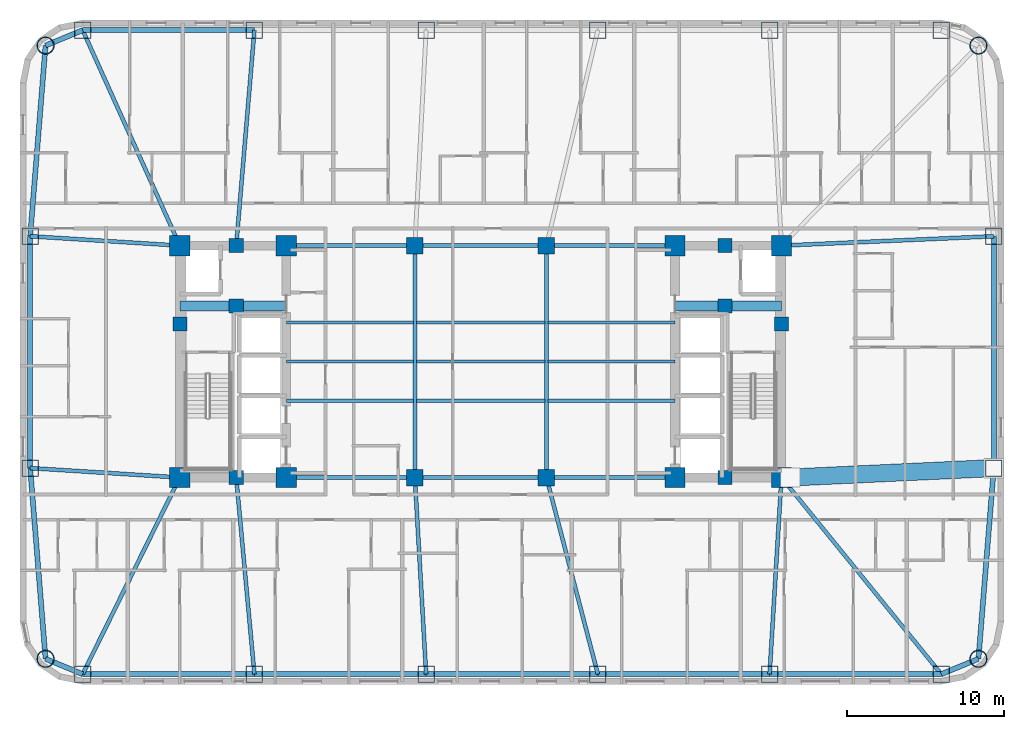
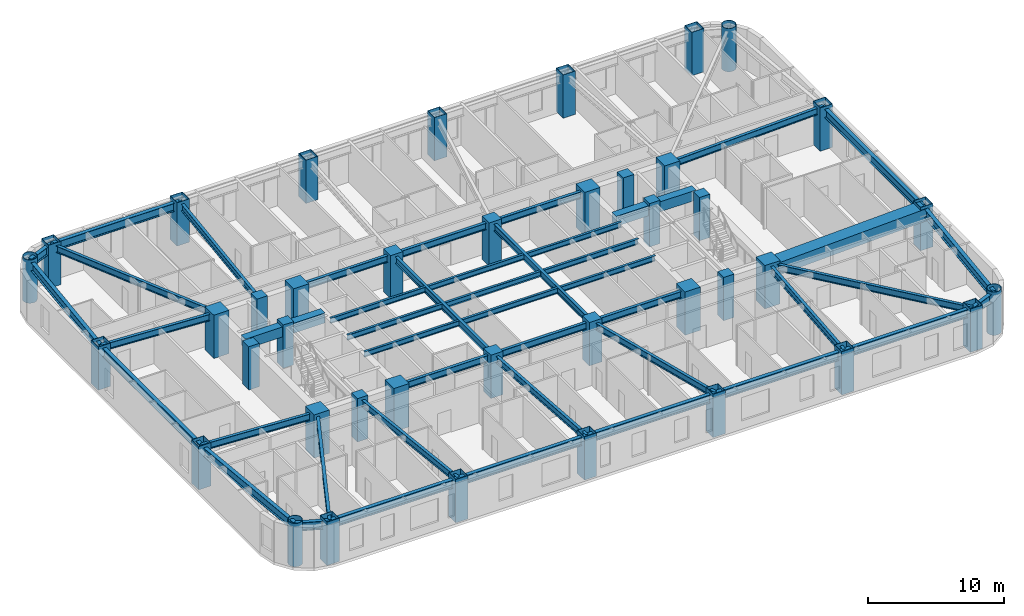
# One storey, part 1 of 11: 45 beams, 40 columns.
"""IFC4 building model written with IfcOpenShell, lengths in metres."""

from ifc_helpers import new_model, si_unit, direction, frame, origin, origin_2d, place, context, subcontext, project, spatial, rectangle, hollow_rectangle, hollow_circle, i_section, extrude, material, material_profile, profile_set, type_object, element, save


model = new_model("IFC4")

# Units and contexts
model_context = context("Model", 3, precision=1e-05, world=origin(), true_north=direction((0.0, 1.0)))
body_context = subcontext(model_context, "Body", "Model", "MODEL_VIEW")
ifc_project = project(units=[si_unit("LENGTHUNIT", "METRE"), si_unit("AREAUNIT", "SQUARE_METRE"), si_unit("VOLUMEUNIT", "CUBIC_METRE"), si_unit("PLANEANGLEUNIT", "RADIAN"), si_unit("MASSUNIT", "GRAM", prefix="KILO")], contexts=[model_context])

# Site, building, storey
site_placement = place(None, origin())
site = spatial("IfcSite", under=ifc_project, at=site_placement, CompositionType="ELEMENT")
building_placement = place(site_placement, origin())
building = spatial("IfcBuilding", under=site, at=building_placement, Name="Voryun Gate Residences", CompositionType="ELEMENT")
storey_placement = place(building_placement, frame((0.0, 0.0, 97.5)))
storey = spatial("IfcBuildingStorey", under=building, at=storey_placement, Name="L23", CompositionType="ELEMENT", Elevation=97.5)

# Columns
ifc_material_1 = material(Name="Concrete C50/60", Category="concrete")
ifc_material_profile_1 = material_profile(ifc_material_1, rectangle(XDim=1.050048828125, YDim=1.050048828125, at=origin_2d()), Name="RC-1050x1050")
ifc_profile_set_1 = profile_set([ifc_material_profile_1], Name="Concrete C50/60")
column_type_1 = type_object("IfcColumnType", Name="COL_CORE_1050", PredefinedType="COLUMN", material=ifc_profile_set_1)
for number, where, z_axis, x_axis, name in (
    (1, (-4.199951171875, -7.39990234375, 0.0), (0.0, 0.0, 1.0), (1.0, 0.0, 0.0), "L23 Interior spine column SP-WS"),
    (2, (-4.199951171875, 7.39990234375, 0.0), (0.0, 0.0, 1.0), (1.0, 0.0, 0.0), "L23 Interior spine column SP-WN"),
    (3, (4.199951171875, -7.39990234375, 0.0), (0.0, 0.0, 1.0), (1.0, 0.0, 0.0), "L23 Interior spine column SP-ES"),
    (4, (4.199951171875, 7.39990234375, 0.0), (0.0, 0.0, 1.0), (1.0, 0.0, 0.0), "L23 Interior spine column SP-EN"),
):
    element("IfcColumn", number, at=place(storey_placement, frame(where, z_axis=z_axis, x_axis=x_axis)), inside=storey, type_object=column_type_1, Name=name, PredefinedType="COLUMN", context=body_context, shape_type="SweptSolid", body=[
        extrude(rectangle(XDim=1.050048828125, YDim=1.050048828125, at=origin_2d()), origin(), (0.0, 0.0, 1.0), 3.89990234375),
    ])
ifc_material_2 = material(Name="Concrete C50/60", Category="concrete")
ifc_material_profile_2 = material_profile(ifc_material_2, rectangle(XDim=0.89990234375, YDim=0.89990234375, at=origin_2d()), Name="RC-900x900")
ifc_profile_set_2 = profile_set([ifc_material_profile_2], Name="Concrete C50/60")
column_type_2 = type_object("IfcColumnType", Name="COL_CORE_900", PredefinedType="COLUMN", material=ifc_profile_set_2)
for number, where, z_axis, x_axis, name in (
    (5, (-19.199951171875, 2.39990234375, 0.0), (0.0, 0.0, 1.0), (1.0, 0.0, 0.0), "L23 Core boundary column WC-MW"),
    (6, (-15.60009765625, -7.39990234375, 0.0), (0.0, 0.0, 1.0), (1.0, 0.0, 0.0), "L23 Core boundary column WC-SM"),
    (7, (-15.60009765625, 7.39990234375, 0.0), (0.0, 0.0, 1.0), (1.0, 0.0, 0.0), "L23 Core boundary column WC-NM"),
    (8, (-15.60009765625, 3.550048828125, 0.0), (0.0, 0.0, 1.0), (1.0, 0.0, 0.0), "L23 Core boundary column WC-MM"),
    (9, (15.60009765625, 3.550048828125, 0.0), (0.0, 0.0, 1.0), (1.0, 0.0, 0.0), "L23 Core boundary column EC-MM"),
    (10, (15.60009765625, -7.39990234375, 0.0), (0.0, 0.0, 1.0), (1.0, 0.0, 0.0), "L23 Core boundary column EC-SM"),
    (11, (15.60009765625, 7.39990234375, 0.0), (0.0, 0.0, 1.0), (1.0, 0.0, 0.0), "L23 Core boundary column EC-NM"),
    (12, (19.199951171875, 2.39990234375, 0.0), (0.0, 0.0, 1.0), (1.0, 0.0, 0.0), "L23 Core boundary column EC-ME"),
):
    element("IfcColumn", number, at=place(storey_placement, frame(where, z_axis=z_axis, x_axis=x_axis)), inside=storey, type_object=column_type_2, Name=name, PredefinedType="COLUMN", context=body_context, shape_type="SweptSolid", body=[
        extrude(rectangle(XDim=0.89990234375, YDim=0.89990234375, at=origin_2d()), origin(), (0.0, 0.0, 1.0), 3.89990234375),
    ])
ifc_material_3 = material(Name="Steel SM420", Category="steel")
ifc_material_profile_3 = material_profile(ifc_material_3, hollow_circle(Radius=0.550048828125, WallThickness=0.035888671875, at=origin_2d()), Name="CHS-1100x36")
ifc_profile_set_3 = profile_set([ifc_material_profile_3], Name="Steel SM420")
column_type_3 = type_object("IfcColumnType", Name="COL_CRN_1100", PredefinedType="COLUMN", material=ifc_profile_set_3)
for number, where, z_axis, x_axis, name in (
    (13, (31.768798828125, -18.96875, 0.0), (0.0, 0.0, 1.0), (1.0, 0.0, 0.0), "L23 Exoskeleton column CSE"),
    (14, (31.768798828125, 20.168701171875, 0.0), (0.0, 0.0, 1.0), (1.0, 0.0, 0.0), "L23 Exoskeleton column CNE"),
    (15, (-27.768798828125, 20.168701171875, 0.0), (0.0, 0.0, 1.0), (1.0, 0.0, 0.0), "L23 Exoskeleton column CNW"),
    (16, (-27.768798828125, -18.96875, 0.0), (0.0, 0.0, 1.0), (1.0, 0.0, 0.0), "L23 Exoskeleton column CSW"),
):
    element("IfcColumn", number, at=place(storey_placement, frame(where, z_axis=z_axis, x_axis=x_axis)), inside=storey, type_object=column_type_3, Name=name, PredefinedType="COLUMN", context=body_context, shape_type="SweptSolid", body=[
        extrude(hollow_circle(Radius=0.550048828125, WallThickness=0.035888671875, at=origin_2d()), origin(), (0.0, 0.0, 1.0), 3.89990234375),
    ])
ifc_material_4 = material(Name="Steel SM420", Category="steel")
ifc_material_profile_4 = material_profile(ifc_material_4, hollow_rectangle(XDim=1.050048828125, YDim=1.050048828125, WallThickness=0.035888671875, at=origin_2d()), Name="BOX-1050x1050x36")
ifc_profile_set_4 = profile_set([ifc_material_profile_4], Name="Steel SM420")
column_type_4 = type_object("IfcColumnType", Name="COL_EXO_B2", PredefinedType="COLUMN", material=ifc_profile_set_4)
for number, where, z_axis, x_axis, name in (
    (17, (-25.39990234375, -19.949951171875, 0.0), (0.0, 0.0, 1.0), (1.0, 0.0, 0.0), "L23 Exoskeleton column S1"),
    (18, (-14.43994140625, -19.949951171875, 0.0), (0.0, 0.0, 1.0), (1.0, 0.0, 0.0), "L23 Exoskeleton column S2"),
    (19, (-3.47998046875, -19.949951171875, 0.0), (0.0, 0.0, 1.0), (1.0, 0.0, 0.0), "L23 Exoskeleton column S3"),
    (20, (7.47998046875, -19.949951171875, 0.0), (0.0, 0.0, 1.0), (1.0, 0.0, 0.0), "L23 Exoskeleton column S4"),
    (21, (18.43994140625, -19.949951171875, 0.0), (0.0, 0.0, 1.0), (1.0, 0.0, 0.0), "L23 Exoskeleton column S5"),
    (22, (29.39990234375, -19.949951171875, 0.0), (0.0, 0.0, 1.0), (1.0, 0.0, 0.0), "L23 Exoskeleton column S6"),
    (23, (32.75, -6.798095703125, 0.0), (0.0, 0.0, 1.0), (1.0, 0.0, 0.0), "L23 Exoskeleton column E1"),
    (24, (32.75, 7.998046875, 0.0), (0.0, 0.0, 1.0), (1.0, 0.0, 0.0), "L23 Exoskeleton column E2"),
    (25, (29.39990234375, 21.14990234375, 0.0), (0.0, 0.0, 1.0), (1.0, 0.0, 0.0), "L23 Exoskeleton column N1"),
    (26, (18.43994140625, 21.14990234375, 0.0), (0.0, 0.0, 1.0), (1.0, 0.0, 0.0), "L23 Exoskeleton column N2"),
    (27, (7.47998046875, 21.14990234375, 0.0), (0.0, 0.0, 1.0), (1.0, 0.0, 0.0), "L23 Exoskeleton column N3"),
    (28, (-3.47998046875, 21.14990234375, 0.0), (0.0, 0.0, 1.0), (1.0, 0.0, 0.0), "L23 Exoskeleton column N4"),
    (29, (-14.43994140625, 21.14990234375, 0.0), (0.0, 0.0, 1.0), (1.0, 0.0, 0.0), "L23 Exoskeleton column N5"),
    (30, (-25.39990234375, 21.14990234375, 0.0), (0.0, 0.0, 1.0), (1.0, 0.0, 0.0), "L23 Exoskeleton column N6"),
    (31, (-28.75, 7.998046875, 0.0), (0.0, 0.0, 1.0), (1.0, 0.0, 0.0), "L23 Exoskeleton column W1"),
    (32, (-28.75, -6.798095703125, 0.0), (0.0, 0.0, 1.0), (1.0, 0.0, 0.0), "L23 Exoskeleton column W2"),
):
    element("IfcColumn", number, at=place(storey_placement, frame(where, z_axis=z_axis, x_axis=x_axis)), inside=storey, type_object=column_type_4, Name=name, PredefinedType="COLUMN", context=body_context, shape_type="SweptSolid", body=[
        extrude(hollow_rectangle(XDim=1.050048828125, YDim=1.050048828125, WallThickness=0.035888671875, at=origin_2d()), origin(), (0.0, 0.0, 1.0), 3.89990234375),
    ])
ifc_material_5 = material(Name="Concrete C60/75", Category="concrete")
ifc_material_profile_5 = material_profile(ifc_material_5, rectangle(XDim=1.300048828125, YDim=1.300048828125, at=origin_2d()), Name="RC-1300x1300")
ifc_profile_set_5 = profile_set([ifc_material_profile_5], Name="Concrete C60/75")
column_type_5 = type_object("IfcColumnType", Name="COL_MEGA_1300", PredefinedType="COLUMN", material=ifc_profile_set_5)
for number, where, z_axis, x_axis, name in (
    (33, (-19.199951171875, -7.39990234375, 0.0), (0.0, 0.0, 1.0), (1.0, 0.0, 0.0), "L23 Core boundary column WC-SW"),
    (34, (-19.199951171875, 7.39990234375, 0.0), (0.0, 0.0, 1.0), (1.0, 0.0, 0.0), "L23 Core boundary column WC-NW"),
    (35, (-12.39990234375, -7.39990234375, 0.0), (0.0, 0.0, 1.0), (1.0, 0.0, 0.0), "L23 Core boundary column WC-SE"),
    (36, (-12.39990234375, 7.39990234375, 0.0), (0.0, 0.0, 1.0), (1.0, 0.0, 0.0), "L23 Core boundary column WC-NE"),
    (37, (12.39990234375, -7.39990234375, 0.0), (0.0, 0.0, 1.0), (1.0, 0.0, 0.0), "L23 Core boundary column EC-SW"),
    (38, (12.39990234375, 7.39990234375, 0.0), (0.0, 0.0, 1.0), (1.0, 0.0, 0.0), "L23 Core boundary column EC-NW"),
    (39, (19.199951171875, -7.39990234375, 0.0), (0.0, 0.0, 1.0), (1.0, 0.0, 0.0), "L23 Core boundary column EC-SE"),
    (40, (19.199951171875, 7.39990234375, 0.0), (0.0, 0.0, 1.0), (1.0, 0.0, 0.0), "L23 Core boundary column EC-NE"),
):
    element("IfcColumn", number, at=place(storey_placement, frame(where, z_axis=z_axis, x_axis=x_axis)), inside=storey, type_object=column_type_5, Name=name, PredefinedType="COLUMN", context=body_context, shape_type="SweptSolid", body=[
        extrude(rectangle(XDim=1.300048828125, YDim=1.300048828125, at=origin_2d()), origin(), (0.0, 0.0, 1.0), 3.89990234375),
    ])

# Beams
ifc_material_6 = material(Name="Steel SM420", Category="steel")
ifc_material_profile_6 = material_profile(ifc_material_6, hollow_rectangle(XDim=1.10009765625, YDim=1.10009765625, WallThickness=0.035888671875, at=origin_2d()), Name="BOX-1100x1100x36")
ifc_profile_set_6 = profile_set([ifc_material_profile_6], Name="Steel SM420")
beam_type_1 = type_object("IfcBeamType", Name="BM_ARCH_RIB", PredefinedType="USERDEFINED", material=ifc_profile_set_6)
beam_1_placement = place(storey_placement, frame((19.75, -7.39990234375, 3.10009765625), z_axis=(0.998930206616, 0.046243294759, 0.0), x_axis=(-0.046243294759, 0.998930206616, 0.0)))
element("IfcBeam", 41, at=beam_1_placement, inside=storey, type_object=beam_type_1, Name="BM-L23-RAD-E1", ObjectType="GIRDER", PredefinedType="USERDEFINED", context=body_context, shape_type="SweptSolid", body=[
    extrude(hollow_rectangle(XDim=1.10009765625, YDim=1.10009765625, WallThickness=0.035888671875, at=origin_2d()), origin(), (0.0, 0.0, 1.0), 13.013916015625),
])
ifc_material_7 = material(Name="Concrete C60/75", Category="concrete")
ifc_material_profile_7 = material_profile(ifc_material_7, rectangle(XDim=0.64990234375, YDim=0.89990234375, at=origin_2d()), Name="RC-650x900")
ifc_profile_set_7 = profile_set([ifc_material_profile_7], Name="Concrete C60/75")
beam_type_2 = type_object("IfcBeamType", Name="BM_COUP_RC900", PredefinedType="LINTEL", material=ifc_profile_set_7)
for number, where, z_axis, x_axis, name in (
    (42, (-19.199951171875, 3.550048828125, 3.199951171875), (1.0, 0.0, 0.0), (0.0, 1.0, 0.0), "BM-L23-WC1"),
    (43, (12.39990234375, 3.550048828125, 3.199951171875), (1.0, 0.0, 0.0), (0.0, 1.0, 0.0), "BM-L23-EC1"),
):
    element("IfcBeam", number, at=place(storey_placement, frame(where, z_axis=z_axis, x_axis=x_axis)), inside=storey, type_object=beam_type_2, Name=name, PredefinedType="LINTEL", context=body_context, shape_type="SweptSolid", body=[
        extrude(rectangle(XDim=0.64990234375, YDim=0.89990234375, at=origin_2d()), origin(), (0.0, 0.0, 1.0), 6.800048828125),
    ])
ifc_material_8 = material(Name="Steel SM355", Category="steel")
ifc_material_profile_8 = material_profile(ifc_material_8, i_section(OverallWidth=0.320068359375, OverallDepth=0.75, WebThickness=0.01611328125, FlangeThickness=0.028076171875, FilletRadius=0.01806640625, at=origin_2d()), Name="H-750x320x16x28")
ifc_profile_set_8 = profile_set([ifc_material_profile_8], Name="Steel SM355")
beam_type_3 = type_object("IfcBeamType", Name="BM_EXO_SPANDREL_L", PredefinedType="SPANDREL", material=ifc_profile_set_8)
for number, where, z_axis, x_axis, name in (
    (44, (-25.39990234375, -19.949951171875, 3.27490234375), (1.0, 0.0, 0.0), (0.0, 1.0, 0.0), "BM-L23-SPAND-01"),
    (45, (-14.43994140625, -19.949951171875, 3.27490234375), (1.0, 0.0, 0.0), (0.0, 1.0, 0.0), "BM-L23-SPAND-02"),
    (46, (-3.47998046875, -19.949951171875, 3.27490234375), (1.0, 0.0, 0.0), (0.0, 1.0, 0.0), "BM-L23-SPAND-03"),
    (47, (7.47998046875, -19.949951171875, 3.27490234375), (1.0, 0.0, 0.0), (0.0, 1.0, 0.0), "BM-L23-SPAND-04"),
    (48, (18.43994140625, -19.949951171875, 3.27490234375), (1.0, 0.0, 0.0), (0.0, 1.0, 0.0), "BM-L23-SPAND-05"),
):
    element("IfcBeam", number, at=place(storey_placement, frame(where, z_axis=z_axis, x_axis=x_axis)), inside=storey, type_object=beam_type_3, Name=name, PredefinedType="SPANDREL", context=body_context, shape_type="SweptSolid", body=[
        extrude(i_section(OverallWidth=0.320068359375, OverallDepth=0.75, WebThickness=0.01611328125, FlangeThickness=0.028076171875, FilletRadius=0.01806640625, at=origin_2d()), origin(), (0.0, 0.0, 1.0), 10.9599609375),
    ])
beam_2_placement = place(storey_placement, frame((29.39990234375, -19.949951171875, 3.27490234375), z_axis=(0.923883376753, 0.382674151414, 0.0), x_axis=(-0.382674151414, 0.923883376753, 0.0)))
element("IfcBeam", 49, at=beam_2_placement, inside=storey, type_object=beam_type_3, Name="BM-L23-SPAND-06", PredefinedType="SPANDREL", context=body_context, shape_type="SweptSolid", body=[
    extrude(i_section(OverallWidth=0.320068359375, OverallDepth=0.75, WebThickness=0.01611328125, FlangeThickness=0.028076171875, FilletRadius=0.01806640625, at=origin_2d()), origin(), (0.0, 0.0, 1.0), 2.56396484375),
])
beam_3_placement = place(storey_placement, frame((31.768798828125, -18.96875, 3.27490234375), z_axis=(0.080359517973, 0.996765944378, 0.0), x_axis=(-0.996765944378, 0.080359517973, 0.0)))
element("IfcBeam", 50, at=beam_3_placement, inside=storey, type_object=beam_type_3, Name="BM-L23-SPAND-07", PredefinedType="SPANDREL", context=body_context, shape_type="SweptSolid", body=[
    extrude(i_section(OverallWidth=0.320068359375, OverallDepth=0.75, WebThickness=0.01611328125, FlangeThickness=0.028076171875, FilletRadius=0.01806640625, at=origin_2d()), origin(), (0.0, 0.0, 1.0), 12.210205078125),
])
beam_4_placement = place(storey_placement, frame((32.75, -6.798095703125, 3.27490234375), z_axis=(0.0, 1.0, 0.0), x_axis=(-1.0, 0.0, 0.0)))
element("IfcBeam", 51, at=beam_4_placement, inside=storey, type_object=beam_type_3, Name="BM-L23-SPAND-08", PredefinedType="SPANDREL", context=body_context, shape_type="SweptSolid", body=[
    extrude(i_section(OverallWidth=0.320068359375, OverallDepth=0.75, WebThickness=0.01611328125, FlangeThickness=0.028076171875, FilletRadius=0.01806640625, at=origin_2d()), origin(), (0.0, 0.0, 1.0), 14.796142578125),
])
beam_5_placement = place(storey_placement, frame((-14.43994140625, 21.14990234375, 3.27490234375), z_axis=(-1.0, 0.0, 0.0), x_axis=(0.0, -1.0, 0.0)))
element("IfcBeam", 52, at=beam_5_placement, inside=storey, type_object=beam_type_3, Name="BM-L23-SPAND-15", PredefinedType="SPANDREL", context=body_context, shape_type="SweptSolid", body=[
    extrude(i_section(OverallWidth=0.320068359375, OverallDepth=0.75, WebThickness=0.01611328125, FlangeThickness=0.028076171875, FilletRadius=0.01806640625, at=origin_2d()), origin(), (0.0, 0.0, 1.0), 10.9599609375),
])
beam_6_placement = place(storey_placement, frame((-25.39990234375, 21.14990234375, 3.27490234375), z_axis=(-0.923883376753, -0.382674151414, 0.0), x_axis=(0.382674151414, -0.923883376753, 0.0)))
element("IfcBeam", 53, at=beam_6_placement, inside=storey, type_object=beam_type_3, Name="BM-L23-SPAND-16", PredefinedType="SPANDREL", context=body_context, shape_type="SweptSolid", body=[
    extrude(i_section(OverallWidth=0.320068359375, OverallDepth=0.75, WebThickness=0.01611328125, FlangeThickness=0.028076171875, FilletRadius=0.01806640625, at=origin_2d()), origin(), (0.0, 0.0, 1.0), 2.56396484375),
])
beam_7_placement = place(storey_placement, frame((-27.768798828125, 20.168701171875, 3.27490234375), z_axis=(-0.080359517973, -0.996765944378, 0.0), x_axis=(0.996765944378, -0.080359517973, 0.0)))
element("IfcBeam", 54, at=beam_7_placement, inside=storey, type_object=beam_type_3, Name="BM-L23-SPAND-17", PredefinedType="SPANDREL", context=body_context, shape_type="SweptSolid", body=[
    extrude(i_section(OverallWidth=0.320068359375, OverallDepth=0.75, WebThickness=0.01611328125, FlangeThickness=0.028076171875, FilletRadius=0.01806640625, at=origin_2d()), origin(), (0.0, 0.0, 1.0), 12.210205078125),
])
beam_8_placement = place(storey_placement, frame((-28.75, 7.998046875, 3.27490234375), z_axis=(0.0, -1.0, 0.0), x_axis=(1.0, 0.0, 0.0)))
element("IfcBeam", 55, at=beam_8_placement, inside=storey, type_object=beam_type_3, Name="BM-L23-SPAND-18", PredefinedType="SPANDREL", context=body_context, shape_type="SweptSolid", body=[
    extrude(i_section(OverallWidth=0.320068359375, OverallDepth=0.75, WebThickness=0.01611328125, FlangeThickness=0.028076171875, FilletRadius=0.01806640625, at=origin_2d()), origin(), (0.0, 0.0, 1.0), 14.796142578125),
])
beam_9_placement = place(storey_placement, frame((-28.75, -6.798095703125, 3.27490234375), z_axis=(0.080359517973, -0.996765944378, 0.0), x_axis=(0.996765944378, 0.080359517973, 0.0)))
element("IfcBeam", 56, at=beam_9_placement, inside=storey, type_object=beam_type_3, Name="BM-L23-SPAND-19", PredefinedType="SPANDREL", context=body_context, shape_type="SweptSolid", body=[
    extrude(i_section(OverallWidth=0.320068359375, OverallDepth=0.75, WebThickness=0.01611328125, FlangeThickness=0.028076171875, FilletRadius=0.01806640625, at=origin_2d()), origin(), (0.0, 0.0, 1.0), 12.210205078125),
])
beam_10_placement = place(storey_placement, frame((-27.768798828125, -18.96875, 3.27490234375), z_axis=(0.923883376753, -0.382674151414, 0.0), x_axis=(0.382674151414, 0.923883376753, 0.0)))
element("IfcBeam", 57, at=beam_10_placement, inside=storey, type_object=beam_type_3, Name="BM-L23-SPAND-20", PredefinedType="SPANDREL", context=body_context, shape_type="SweptSolid", body=[
    extrude(i_section(OverallWidth=0.320068359375, OverallDepth=0.75, WebThickness=0.01611328125, FlangeThickness=0.028076171875, FilletRadius=0.01806640625, at=origin_2d()), origin(), (0.0, 0.0, 1.0), 2.56396484375),
])
ifc_material_9 = material(Name="Steel SM355", Category="steel")
ifc_material_profile_9 = material_profile(ifc_material_9, i_section(OverallWidth=0.25, OverallDepth=0.60009765625, WebThickness=0.011962890625, FlangeThickness=0.02197265625, FilletRadius=0.01806640625, at=origin_2d()), Name="H-600x250x12x22")
ifc_profile_set_9 = profile_set([ifc_material_profile_9], Name="Steel SM355")
beam_type_4 = type_object("IfcBeamType", Name="BM_GIRD_600", PredefinedType="USERDEFINED", material=ifc_profile_set_9)
beam_11_placement = place(storey_placement, frame((-12.39990234375, -7.39990234375, 3.35009765625), z_axis=(1.0, 0.0, 0.0), x_axis=(0.0, 1.0, 0.0)))
element("IfcBeam", 58, at=beam_11_placement, inside=storey, type_object=beam_type_4, Name="BM-L23-SPG1-S", ObjectType="GIRDER", PredefinedType="USERDEFINED", context=body_context, shape_type="SweptSolid", body=[
    extrude(i_section(OverallWidth=0.25, OverallDepth=0.60009765625, WebThickness=0.011962890625, FlangeThickness=0.02197265625, FilletRadius=0.01806640625, at=origin_2d()), origin(), (0.0, 0.0, 1.0), 8.199951171875),
])
beam_12_placement = place(storey_placement, frame((-4.199951171875, -7.39990234375, 3.35009765625), z_axis=(1.0, 0.0, 0.0), x_axis=(0.0, 1.0, 0.0)))
element("IfcBeam", 59, at=beam_12_placement, inside=storey, type_object=beam_type_4, Name="BM-L23-SPG2-S", ObjectType="GIRDER", PredefinedType="USERDEFINED", context=body_context, shape_type="SweptSolid", body=[
    extrude(i_section(OverallWidth=0.25, OverallDepth=0.60009765625, WebThickness=0.011962890625, FlangeThickness=0.02197265625, FilletRadius=0.01806640625, at=origin_2d()), origin(), (0.0, 0.0, 1.0), 8.39990234375),
])
for number, where, z_axis, x_axis, name in (
    (60, (4.199951171875, -7.39990234375, 3.35009765625), (1.0, 0.0, 0.0), (0.0, 1.0, 0.0), "BM-L23-SPG3-S"),
    (61, (-12.39990234375, 7.39990234375, 3.35009765625), (1.0, 0.0, 0.0), (0.0, 1.0, 0.0), "BM-L23-SPG1-N"),
):
    element("IfcBeam", number, at=place(storey_placement, frame(where, z_axis=z_axis, x_axis=x_axis)), inside=storey, type_object=beam_type_4, Name=name, ObjectType="GIRDER", PredefinedType="USERDEFINED", context=body_context, shape_type="SweptSolid", body=[
        extrude(i_section(OverallWidth=0.25, OverallDepth=0.60009765625, WebThickness=0.011962890625, FlangeThickness=0.02197265625, FilletRadius=0.01806640625, at=origin_2d()), origin(), (0.0, 0.0, 1.0), 8.199951171875),
    ])
beam_13_placement = place(storey_placement, frame((-4.199951171875, 7.39990234375, 3.35009765625), z_axis=(1.0, 0.0, 0.0), x_axis=(0.0, 1.0, 0.0)))
element("IfcBeam", 62, at=beam_13_placement, inside=storey, type_object=beam_type_4, Name="BM-L23-SPG2-N", ObjectType="GIRDER", PredefinedType="USERDEFINED", context=body_context, shape_type="SweptSolid", body=[
    extrude(i_section(OverallWidth=0.25, OverallDepth=0.60009765625, WebThickness=0.011962890625, FlangeThickness=0.02197265625, FilletRadius=0.01806640625, at=origin_2d()), origin(), (0.0, 0.0, 1.0), 8.39990234375),
])
beam_14_placement = place(storey_placement, frame((4.199951171875, 7.39990234375, 3.35009765625), z_axis=(1.0, 0.0, 0.0), x_axis=(0.0, 1.0, 0.0)))
element("IfcBeam", 63, at=beam_14_placement, inside=storey, type_object=beam_type_4, Name="BM-L23-SPG3-N", ObjectType="GIRDER", PredefinedType="USERDEFINED", context=body_context, shape_type="SweptSolid", body=[
    extrude(i_section(OverallWidth=0.25, OverallDepth=0.60009765625, WebThickness=0.011962890625, FlangeThickness=0.02197265625, FilletRadius=0.01806640625, at=origin_2d()), origin(), (0.0, 0.0, 1.0), 8.199951171875),
])
for number, where, z_axis, x_axis, name in (
    (64, (-4.199951171875, -7.39990234375, 3.35009765625), (0.0, 1.0, 0.0), (-1.0, 0.0, 0.0), "BM-L23-SPX-W"),
    (65, (4.199951171875, -7.39990234375, 3.35009765625), (0.0, 1.0, 0.0), (-1.0, 0.0, 0.0), "BM-L23-SPX-E"),
):
    element("IfcBeam", number, at=place(storey_placement, frame(where, z_axis=z_axis, x_axis=x_axis)), inside=storey, type_object=beam_type_4, Name=name, ObjectType="GIRDER", PredefinedType="USERDEFINED", context=body_context, shape_type="SweptSolid", body=[
        extrude(i_section(OverallWidth=0.25, OverallDepth=0.60009765625, WebThickness=0.011962890625, FlangeThickness=0.02197265625, FilletRadius=0.01806640625, at=origin_2d()), origin(), (0.0, 0.0, 1.0), 14.7998046875),
    ])
beam_15_placement = place(storey_placement, frame((-19.199951171875, -7.39990234375, 3.35009765625), z_axis=(-0.442917927955, -0.896562161312, 0.0), x_axis=(0.896562161312, -0.442917927955, 0.0)))
element("IfcBeam", 66, at=beam_15_placement, inside=storey, type_object=beam_type_4, Name="BM-L23-RAD-S1", ObjectType="GIRDER", PredefinedType="USERDEFINED", context=body_context, shape_type="SweptSolid", body=[
    extrude(i_section(OverallWidth=0.25, OverallDepth=0.60009765625, WebThickness=0.011962890625, FlangeThickness=0.02197265625, FilletRadius=0.01806640625, at=origin_2d()), origin(), (0.0, 0.0, 1.0), 13.998046875),
])
beam_16_placement = place(storey_placement, frame((-15.60009765625, -7.39990234375, 3.35009765625), z_axis=(0.092049895705, -0.995754395773, 0.0), x_axis=(0.995754395773, 0.092049895705, 0.0)))
element("IfcBeam", 67, at=beam_16_placement, inside=storey, type_object=beam_type_4, Name="BM-L23-RAD-S2", ObjectType="GIRDER", PredefinedType="USERDEFINED", context=body_context, shape_type="SweptSolid", body=[
    extrude(i_section(OverallWidth=0.25, OverallDepth=0.60009765625, WebThickness=0.011962890625, FlangeThickness=0.02197265625, FilletRadius=0.01806640625, at=origin_2d()), origin(), (0.0, 0.0, 1.0), 12.603515625),
])
beam_17_placement = place(storey_placement, frame((-4.199951171875, -7.39990234375, 3.35009765625), z_axis=(0.057273791334, -0.998358509167, 0.0), x_axis=(0.998358509167, 0.057273791334, 0.0)))
element("IfcBeam", 68, at=beam_17_placement, inside=storey, type_object=beam_type_4, Name="BM-L23-RAD-S3", ObjectType="GIRDER", PredefinedType="USERDEFINED", context=body_context, shape_type="SweptSolid", body=[
    extrude(i_section(OverallWidth=0.25, OverallDepth=0.60009765625, WebThickness=0.011962890625, FlangeThickness=0.02197265625, FilletRadius=0.01806640625, at=origin_2d()), origin(), (0.0, 0.0, 1.0), 12.57080078125),
])
beam_18_placement = place(storey_placement, frame((4.199951171875, -7.39990234375, 3.35009765625), z_axis=(0.252862419611, -0.967502246379, 0.0), x_axis=(0.967502246379, 0.252862419611, 0.0)))
element("IfcBeam", 69, at=beam_18_placement, inside=storey, type_object=beam_type_4, Name="BM-L23-RAD-S4", ObjectType="GIRDER", PredefinedType="USERDEFINED", context=body_context, shape_type="SweptSolid", body=[
    extrude(i_section(OverallWidth=0.25, OverallDepth=0.60009765625, WebThickness=0.011962890625, FlangeThickness=0.02197265625, FilletRadius=0.01806640625, at=origin_2d()), origin(), (0.0, 0.0, 1.0), 12.9716796875),
])
beam_19_placement = place(storey_placement, frame((19.199951171875, -7.39990234375, 3.35009765625), z_axis=(-0.060447572917, -0.998171373527, 0.0), x_axis=(0.998171373527, -0.060447572917, 0.0)))
element("IfcBeam", 70, at=beam_19_placement, inside=storey, type_object=beam_type_4, Name="BM-L23-RAD-S5", ObjectType="GIRDER", PredefinedType="USERDEFINED", context=body_context, shape_type="SweptSolid", body=[
    extrude(i_section(OverallWidth=0.25, OverallDepth=0.60009765625, WebThickness=0.011962890625, FlangeThickness=0.02197265625, FilletRadius=0.01806640625, at=origin_2d()), origin(), (0.0, 0.0, 1.0), 12.572998046875),
])
beam_20_placement = place(storey_placement, frame((19.199951171875, -7.39990234375, 3.35009765625), z_axis=(0.63070571586, -0.776022100189, 0.0), x_axis=(0.776022100189, 0.63070571586, 0.0)))
element("IfcBeam", 71, at=beam_20_placement, inside=storey, type_object=beam_type_4, Name="BM-L23-RAD-S6", ObjectType="GIRDER", PredefinedType="USERDEFINED", context=body_context, shape_type="SweptSolid", body=[
    extrude(i_section(OverallWidth=0.25, OverallDepth=0.60009765625, WebThickness=0.011962890625, FlangeThickness=0.02197265625, FilletRadius=0.01806640625, at=origin_2d()), origin(), (0.0, 0.0, 1.0), 16.17236328125),
])
beam_21_placement = place(storey_placement, frame((19.199951171875, 7.39990234375, 3.35009765625), z_axis=(0.999027104014, 0.044100401882, 0.0), x_axis=(-0.044100401882, 0.999027104014, 0.0)))
element("IfcBeam", 72, at=beam_21_placement, inside=storey, type_object=beam_type_4, Name="BM-L23-RAD-E2", ObjectType="GIRDER", PredefinedType="USERDEFINED", context=body_context, shape_type="SweptSolid", body=[
    extrude(i_section(OverallWidth=0.25, OverallDepth=0.60009765625, WebThickness=0.011962890625, FlangeThickness=0.02197265625, FilletRadius=0.01806640625, at=origin_2d()), origin(), (0.0, 0.0, 1.0), 13.563232421875),
])
beam_22_placement = place(storey_placement, frame((-15.60009765625, 7.39990234375, 3.35009765625), z_axis=(0.084076255415, 0.996459323442, 0.0), x_axis=(-0.996459323442, 0.084076255415, 0.0)))
element("IfcBeam", 73, at=beam_22_placement, inside=storey, type_object=beam_type_4, Name="BM-L23-RAD-N5", ObjectType="GIRDER", PredefinedType="USERDEFINED", context=body_context, shape_type="SweptSolid", body=[
    extrude(i_section(OverallWidth=0.25, OverallDepth=0.60009765625, WebThickness=0.011962890625, FlangeThickness=0.02197265625, FilletRadius=0.01806640625, at=origin_2d()), origin(), (0.0, 0.0, 1.0), 13.798828125),
])
beam_23_placement = place(storey_placement, frame((-19.199951171875, 7.39990234375, 3.35009765625), z_axis=(-0.411051048554, 0.911612327408, 0.0), x_axis=(-0.911612327408, -0.411051048554, 0.0)))
element("IfcBeam", 74, at=beam_23_placement, inside=storey, type_object=beam_type_4, Name="BM-L23-RAD-N6", ObjectType="GIRDER", PredefinedType="USERDEFINED", context=body_context, shape_type="SweptSolid", body=[
    extrude(i_section(OverallWidth=0.25, OverallDepth=0.60009765625, WebThickness=0.011962890625, FlangeThickness=0.02197265625, FilletRadius=0.01806640625, at=origin_2d()), origin(), (0.0, 0.0, 1.0), 15.083251953125),
])
beam_24_placement = place(storey_placement, frame((-19.199951171875, 7.39990234375, 3.35009765625), z_axis=(-0.998044329736, 0.062510126233, 0.0), x_axis=(-0.062510126233, -0.998044329736, 0.0)))
element("IfcBeam", 75, at=beam_24_placement, inside=storey, type_object=beam_type_4, Name="BM-L23-RAD-W1", ObjectType="GIRDER", PredefinedType="USERDEFINED", context=body_context, shape_type="SweptSolid", body=[
    extrude(i_section(OverallWidth=0.25, OverallDepth=0.60009765625, WebThickness=0.011962890625, FlangeThickness=0.02197265625, FilletRadius=0.01806640625, at=origin_2d()), origin(), (0.0, 0.0, 1.0), 9.56884765625),
])
beam_25_placement = place(storey_placement, frame((-19.199951171875, -7.39990234375, 3.35009765625), z_axis=(-0.998020380726, 0.062891332119, 0.0), x_axis=(-0.062891332119, -0.998020380726, 0.0)))
element("IfcBeam", 76, at=beam_25_placement, inside=storey, type_object=beam_type_4, Name="BM-L23-RAD-W2", ObjectType="GIRDER", PredefinedType="USERDEFINED", context=body_context, shape_type="SweptSolid", body=[
    extrude(i_section(OverallWidth=0.25, OverallDepth=0.60009765625, WebThickness=0.011962890625, FlangeThickness=0.02197265625, FilletRadius=0.01806640625, at=origin_2d()), origin(), (0.0, 0.0, 1.0), 9.569091796875),
])
ifc_material_10 = material(Name="Steel SM355", Category="steel")
ifc_material_profile_10 = material_profile(ifc_material_10, i_section(OverallWidth=0.199951171875, OverallDepth=0.47998046875, WebThickness=0.010009765625, FlangeThickness=0.01806640625, FilletRadius=0.01806640625, at=origin_2d()), Name="H-480x200x10x18")
ifc_profile_set_10 = profile_set([ifc_material_profile_10], Name="Steel SM355")
beam_type_5 = type_object("IfcBeamType", Name="BM_SEC_480", PredefinedType="BEAM", material=ifc_profile_set_10)
beam_26_placement = place(storey_placement, frame((-12.39990234375, -2.5, 3.409912109375), z_axis=(1.0, 0.0, 0.0), x_axis=(0.0, 1.0, 0.0)))
element("IfcBeam", 77, at=beam_26_placement, inside=storey, type_object=beam_type_5, Name="BM-L23-SEC-CS1", PredefinedType="BEAM", context=body_context, shape_type="SweptSolid", body=[
    extrude(i_section(OverallWidth=0.199951171875, OverallDepth=0.47998046875, WebThickness=0.010009765625, FlangeThickness=0.01806640625, FilletRadius=0.01806640625, at=origin_2d()), origin(), (0.0, 0.0, 1.0), 8.099853515625),
])
beam_27_placement = place(storey_placement, frame((-4.10009765625, -2.5, 3.409912109375), z_axis=(1.0, 0.0, 0.0), x_axis=(0.0, 1.0, 0.0)))
element("IfcBeam", 78, at=beam_27_placement, inside=storey, type_object=beam_type_5, Name="BM-L23-SEC-CS2", PredefinedType="BEAM", context=body_context, shape_type="SweptSolid", body=[
    extrude(i_section(OverallWidth=0.199951171875, OverallDepth=0.47998046875, WebThickness=0.010009765625, FlangeThickness=0.01806640625, FilletRadius=0.01806640625, at=origin_2d()), origin(), (0.0, 0.0, 1.0), 8.2001953125),
])
for number, where, z_axis, x_axis, name in (
    (79, (4.300048828125, -2.5, 3.409912109375), (1.0, 0.0, 0.0), (0.0, 1.0, 0.0), "BM-L23-SEC-CS3"),
    (80, (-12.39990234375, 0.0, 3.409912109375), (1.0, 0.0, 0.0), (0.0, 1.0, 0.0), "BM-L23-SEC-CM1"),
):
    element("IfcBeam", number, at=place(storey_placement, frame(where, z_axis=z_axis, x_axis=x_axis)), inside=storey, type_object=beam_type_5, Name=name, PredefinedType="BEAM", context=body_context, shape_type="SweptSolid", body=[
        extrude(i_section(OverallWidth=0.199951171875, OverallDepth=0.47998046875, WebThickness=0.010009765625, FlangeThickness=0.01806640625, FilletRadius=0.01806640625, at=origin_2d()), origin(), (0.0, 0.0, 1.0), 8.099853515625),
    ])
beam_28_placement = place(storey_placement, frame((-4.10009765625, 0.0, 3.409912109375), z_axis=(1.0, 0.0, 0.0), x_axis=(0.0, 1.0, 0.0)))
element("IfcBeam", 81, at=beam_28_placement, inside=storey, type_object=beam_type_5, Name="BM-L23-SEC-CM2", PredefinedType="BEAM", context=body_context, shape_type="SweptSolid", body=[
    extrude(i_section(OverallWidth=0.199951171875, OverallDepth=0.47998046875, WebThickness=0.010009765625, FlangeThickness=0.01806640625, FilletRadius=0.01806640625, at=origin_2d()), origin(), (0.0, 0.0, 1.0), 8.2001953125),
])
for number, where, z_axis, x_axis, name in (
    (82, (4.300048828125, 0.0, 3.409912109375), (1.0, 0.0, 0.0), (0.0, 1.0, 0.0), "BM-L23-SEC-CM3"),
    (83, (-12.39990234375, 2.5, 3.409912109375), (1.0, 0.0, 0.0), (0.0, 1.0, 0.0), "BM-L23-SEC-CN1"),
):
    element("IfcBeam", number, at=place(storey_placement, frame(where, z_axis=z_axis, x_axis=x_axis)), inside=storey, type_object=beam_type_5, Name=name, PredefinedType="BEAM", context=body_context, shape_type="SweptSolid", body=[
        extrude(i_section(OverallWidth=0.199951171875, OverallDepth=0.47998046875, WebThickness=0.010009765625, FlangeThickness=0.01806640625, FilletRadius=0.01806640625, at=origin_2d()), origin(), (0.0, 0.0, 1.0), 8.099853515625),
    ])
beam_29_placement = place(storey_placement, frame((-4.10009765625, 2.5, 3.409912109375), z_axis=(1.0, 0.0, 0.0), x_axis=(0.0, 1.0, 0.0)))
element("IfcBeam", 84, at=beam_29_placement, inside=storey, type_object=beam_type_5, Name="BM-L23-SEC-CN2", PredefinedType="BEAM", context=body_context, shape_type="SweptSolid", body=[
    extrude(i_section(OverallWidth=0.199951171875, OverallDepth=0.47998046875, WebThickness=0.010009765625, FlangeThickness=0.01806640625, FilletRadius=0.01806640625, at=origin_2d()), origin(), (0.0, 0.0, 1.0), 8.2001953125),
])
beam_30_placement = place(storey_placement, frame((4.300048828125, 2.5, 3.409912109375), z_axis=(1.0, 0.0, 0.0), x_axis=(0.0, 1.0, 0.0)))
element("IfcBeam", 85, at=beam_30_placement, inside=storey, type_object=beam_type_5, Name="BM-L23-SEC-CN3", PredefinedType="BEAM", context=body_context, shape_type="SweptSolid", body=[
    extrude(i_section(OverallWidth=0.199951171875, OverallDepth=0.47998046875, WebThickness=0.010009765625, FlangeThickness=0.01806640625, FilletRadius=0.01806640625, at=origin_2d()), origin(), (0.0, 0.0, 1.0), 8.099853515625),
])

save(model, "model.ifc")
